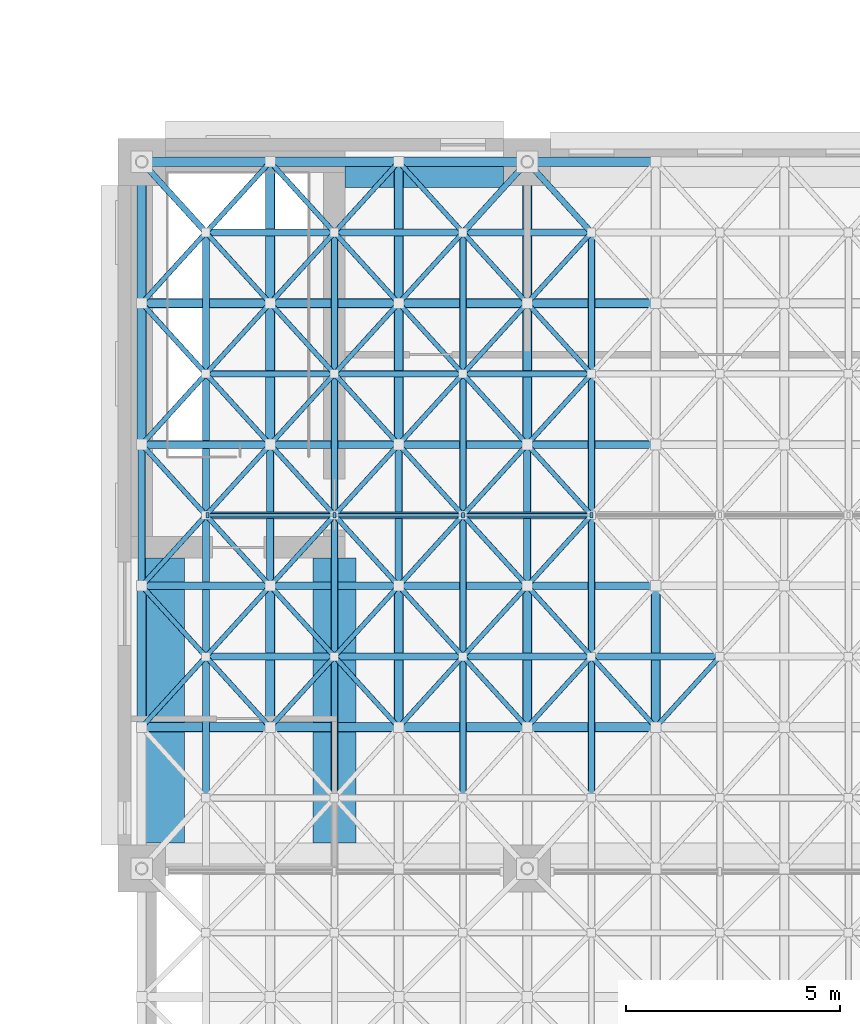
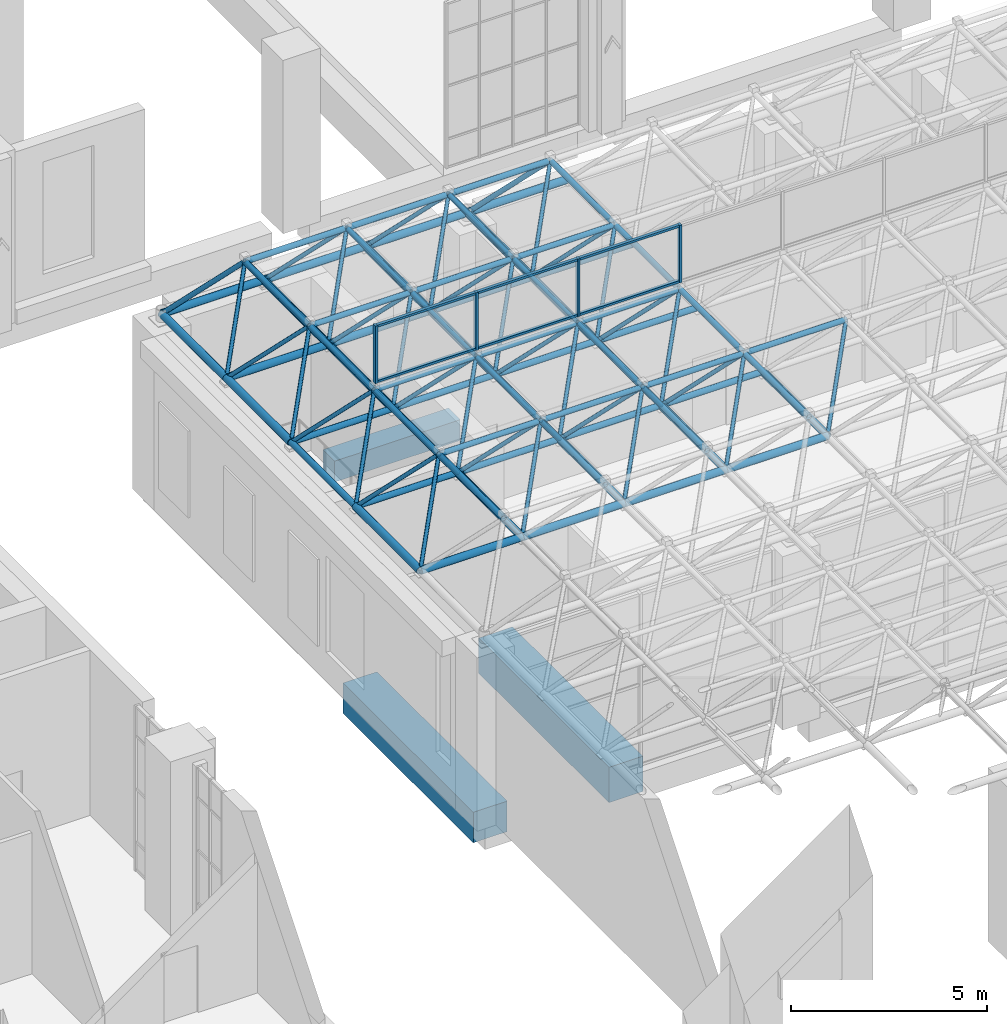
# One storey, part 7 of 53: 134 members, 3 beams, 1 element without a shape of its own.
"""IFC4 building model written with IfcOpenShell, lengths in metres."""

from ifc_helpers import new_model, si_unit, direction, frame, origin, origin_2d, place, context, subcontext, project, spatial, rectangle, hollow_circle, extrude, material, layer, layer_set, material_profile, profile_set, type_object, element, aggregate, save


model = new_model("IFC4")

# Units and contexts
model_context = context("Model", 3, precision=1e-05, world=origin(), true_north=direction((0.0, 1.0)))
body_context = subcontext(model_context, "Body", "Model", "MODEL_VIEW")
ifc_project = project(units=[si_unit("LENGTHUNIT", "METRE"), si_unit("AREAUNIT", "SQUARE_METRE"), si_unit("VOLUMEUNIT", "CUBIC_METRE"), si_unit("PLANEANGLEUNIT", "RADIAN"), si_unit("MASSUNIT", "GRAM", prefix="KILO")], contexts=[model_context])

# Site, building, storey
site_placement = place(None, origin())
site = spatial("IfcSite", under=ifc_project, at=site_placement, CompositionType="ELEMENT")
building_placement = place(site_placement, origin())
building = spatial("IfcBuilding", under=site, at=building_placement, Name="Aurelan Courthouse", CompositionType="ELEMENT")
storey_placement = place(building_placement, frame((0.0, 0.0, 12.0)))
storey = spatial("IfcBuildingStorey", under=building, at=storey_placement, Name="L02", CompositionType="ELEMENT", Elevation=12.0)

# Curtain wall, members
ifc_material_1 = material(Name="Bronze-finished aluminium and glass", Category="aluminium")
ifc_layer = layer(ifc_material_1, 0.10009765625)
ifc_layer_set = layer_set([ifc_layer], Name="Bronze-finished aluminium and glass")
curtain_wall_type = type_object("IfcCurtainWallType", Name="North light 24000 x 1800", PredefinedType="NOTDEFINED", material=ifc_layer_set)
curtain_wall_placement = place(storey_placement, origin())
curtain_wall = element("IfcCurtainWall", 1, at=curtain_wall_placement, inside=storey, type_object=curtain_wall_type, Name="Curtain wall CW-V1-L02-NL01", PredefinedType="NOTDEFINED")
ifc_material_2 = material(Name="Bronze-finished aluminium", Category="aluminium")
ifc_material_profile_1 = material_profile(ifc_material_2, rectangle(XDim=0.1201171875, YDim=0.070068359375, at=origin_2d()), Name="North light mullion 70 x 120")
ifc_profile_set_1 = profile_set([ifc_material_profile_1], Name="Bronze-finished aluminium")
member_type_1 = type_object("IfcMemberType", Name="North light mullion 70 x 120", PredefinedType="MULLION", material=ifc_profile_set_1)
member_1_placement = place(storey_placement, frame((37.534912109375, 20.25, 7.919921875), z_axis=(0.0, 0.0, 1.0), x_axis=(0.0, 1.0, 0.0)))
member_1 = element("IfcMember", 2, at=member_1_placement, type_object=member_type_1, Name="CW-V1-L02-NL01 mullion 1", PredefinedType="MULLION", context=body_context, shape_type="SweptSolid", body=[
    extrude(rectangle(XDim=0.1201171875, YDim=0.070068359375, at=origin_2d()), origin(), (0.0, 0.0, 1.0), 1.7998046875),
])
member_2_placement = place(storey_placement, frame((40.5, 20.25, 7.919921875), z_axis=(0.0, 0.0, 1.0), x_axis=(0.0, 1.0, 0.0)))
member_2 = element("IfcMember", 3, at=member_2_placement, type_object=member_type_1, Name="CW-V1-L02-NL01 mullion 2", PredefinedType="MULLION", context=body_context, shape_type="SweptSolid", body=[
    extrude(rectangle(XDim=0.1201171875, YDim=0.070068359375, at=origin_2d()), origin(), (0.0, 0.0, 1.0), 1.7998046875),
])
member_3_placement = place(storey_placement, frame((43.5, 20.25, 7.919921875), z_axis=(0.0, 0.0, 1.0), x_axis=(0.0, 1.0, 0.0)))
member_3 = element("IfcMember", 4, at=member_3_placement, type_object=member_type_1, Name="CW-V1-L02-NL01 mullion 3", PredefinedType="MULLION", context=body_context, shape_type="SweptSolid", body=[
    extrude(rectangle(XDim=0.1201171875, YDim=0.070068359375, at=origin_2d()), origin(), (0.0, 0.0, 1.0), 1.7998046875),
])
member_4_placement = place(storey_placement, frame((46.5, 20.25, 7.919921875), z_axis=(0.0, 0.0, 1.0), x_axis=(0.0, 1.0, 0.0)))
member_4 = element("IfcMember", 5, at=member_4_placement, type_object=member_type_1, Name="CW-V1-L02-NL01 mullion 4", PredefinedType="MULLION", context=body_context, shape_type="SweptSolid", body=[
    extrude(rectangle(XDim=0.1201171875, YDim=0.070068359375, at=origin_2d()), origin(), (0.0, 0.0, 1.0), 1.7998046875),
])
ifc_material_profile_2 = material_profile(ifc_material_2, rectangle(XDim=0.090087890625, YDim=0.070068359375, at=origin_2d()), Name="North light transom 70 x 90")
ifc_profile_set_2 = profile_set([ifc_material_profile_2], Name="Bronze-finished aluminium")
member_type_2 = type_object("IfcMemberType", Name="North light transom 70 x 90", PredefinedType="USERDEFINED", material=ifc_profile_set_2)
member_5_placement = place(storey_placement, frame((37.570068359375, 20.25, 7.954833984375), z_axis=(1.0, 0.0, 0.0), x_axis=(0.0, 1.0, 0.0)))
member_5 = element("IfcMember", 6, at=member_5_placement, type_object=member_type_2, Name="CW-V1-L02-NL01 transom 1.1", ObjectType="TRANSOM", PredefinedType="USERDEFINED", context=body_context, shape_type="SweptSolid", body=[
    extrude(rectangle(XDim=0.090087890625, YDim=0.070068359375, at=origin_2d()), origin(), (0.0, 0.0, 1.0), 2.89501953125),
])
member_6_placement = place(storey_placement, frame((37.570068359375, 20.25, 9.684814453125), z_axis=(1.0, 0.0, 0.0), x_axis=(0.0, 1.0, 0.0)))
member_6 = element("IfcMember", 7, at=member_6_placement, type_object=member_type_2, Name="CW-V1-L02-NL01 transom 1.2", ObjectType="TRANSOM", PredefinedType="USERDEFINED", context=body_context, shape_type="SweptSolid", body=[
    extrude(rectangle(XDim=0.090087890625, YDim=0.070068359375, at=origin_2d()), origin(), (0.0, 0.0, 1.0), 2.89501953125),
])
member_7_placement = place(storey_placement, frame((40.534912109375, 20.25, 7.954833984375), z_axis=(1.0, 0.0, 0.0), x_axis=(0.0, 1.0, 0.0)))
member_7 = element("IfcMember", 8, at=member_7_placement, type_object=member_type_2, Name="CW-V1-L02-NL01 transom 2.1", ObjectType="TRANSOM", PredefinedType="USERDEFINED", context=body_context, shape_type="SweptSolid", body=[
    extrude(rectangle(XDim=0.090087890625, YDim=0.070068359375, at=origin_2d()), origin(), (0.0, 0.0, 1.0), 2.93017578125),
])
member_8_placement = place(storey_placement, frame((40.534912109375, 20.25, 9.684814453125), z_axis=(1.0, 0.0, 0.0), x_axis=(0.0, 1.0, 0.0)))
member_8 = element("IfcMember", 9, at=member_8_placement, type_object=member_type_2, Name="CW-V1-L02-NL01 transom 2.2", ObjectType="TRANSOM", PredefinedType="USERDEFINED", context=body_context, shape_type="SweptSolid", body=[
    extrude(rectangle(XDim=0.090087890625, YDim=0.070068359375, at=origin_2d()), origin(), (0.0, 0.0, 1.0), 2.93017578125),
])
member_9_placement = place(storey_placement, frame((43.534912109375, 20.25, 7.954833984375), z_axis=(1.0, 0.0, 0.0), x_axis=(0.0, 1.0, 0.0)))
member_9 = element("IfcMember", 10, at=member_9_placement, type_object=member_type_2, Name="CW-V1-L02-NL01 transom 3.1", ObjectType="TRANSOM", PredefinedType="USERDEFINED", context=body_context, shape_type="SweptSolid", body=[
    extrude(rectangle(XDim=0.090087890625, YDim=0.070068359375, at=origin_2d()), origin(), (0.0, 0.0, 1.0), 2.93017578125),
])
member_10_placement = place(storey_placement, frame((43.534912109375, 20.25, 9.684814453125), z_axis=(1.0, 0.0, 0.0), x_axis=(0.0, 1.0, 0.0)))
member_10 = element("IfcMember", 11, at=member_10_placement, type_object=member_type_2, Name="CW-V1-L02-NL01 transom 3.2", ObjectType="TRANSOM", PredefinedType="USERDEFINED", context=body_context, shape_type="SweptSolid", body=[
    extrude(rectangle(XDim=0.090087890625, YDim=0.070068359375, at=origin_2d()), origin(), (0.0, 0.0, 1.0), 2.93017578125),
])
aggregate(curtain_wall, [member_1, member_2, member_3, member_4, member_5, member_6, member_7, member_8, member_9, member_10])

# Beams
ifc_material_3 = material(Name="Concrete C50", Category="concrete")
ifc_material_profile_3 = material_profile(ifc_material_3, rectangle(XDim=1.0, YDim=0.949951171875, at=origin_2d()), Name="RC 1000 x 950")
ifc_profile_set_3 = profile_set([ifc_material_profile_3], Name="Concrete C50")
beam_type_1 = type_object("IfcBeamType", Name="PT girder 1000 x 950", PredefinedType="BEAM", material=ifc_profile_set_3)
beam_1_placement = place(storey_placement, frame((36.5, 12.60009765625, -0.77490234375), z_axis=(0.0, 1.0, 0.0), x_axis=(-1.0, 0.0, 0.0)))
element("IfcBeam", 12, at=beam_1_placement, inside=storey, type_object=beam_type_1, Name="Girder GB-5BC-E", PredefinedType="BEAM", context=body_context, shape_type="SweptSolid", body=[
    extrude(rectangle(XDim=1.0, YDim=0.949951171875, at=origin_2d()), origin(), (0.0, 0.0, 1.0), 6.64990234375),
])
ifc_material_profile_4 = material_profile(ifc_material_3, rectangle(XDim=0.60009765625, YDim=0.64990234375, at=origin_2d()), Name="RC 600 x 650")
ifc_profile_set_4 = profile_set([ifc_material_profile_4], Name="Concrete C50")
beam_type_2 = type_object("IfcBeamType", Name="RC spandrel beam 600 x 650", PredefinedType="SPANDREL", material=ifc_profile_set_4)
beam_2_placement = place(storey_placement, frame((40.75, 28.199951171875, -0.625), z_axis=(1.0, 0.0, 0.0), x_axis=(0.0, 1.0, 0.0)))
element("IfcBeam", 13, at=beam_2_placement, inside=storey, type_object=beam_type_2, Name="Spandrel beam SB-C-5-6", PredefinedType="SPANDREL", context=body_context, shape_type="SweptSolid", body=[
    extrude(rectangle(XDim=0.60009765625, YDim=0.64990234375, at=origin_2d()), origin(), (0.0, 0.0, 1.0), 3.699951171875),
])
ifc_material_4 = material(Name="Concrete C40", Category="concrete")
ifc_material_profile_5 = material_profile(ifc_material_4, rectangle(XDim=1.0, YDim=1.10009765625, at=origin_2d()), Name="RC 1000 x 1100")
ifc_profile_set_5 = profile_set([ifc_material_profile_5], Name="Concrete C40")
beam_type_3 = type_object("IfcBeamType", Name="RC trimmer beam 1000 x 1100", PredefinedType="JOIST", material=ifc_profile_set_5)
beam_3_placement = place(storey_placement, frame((40.5, 12.60009765625, -0.85009765625), z_axis=(0.0, 1.0, 0.0), x_axis=(-1.0, 0.0, 0.0)))
element("IfcBeam", 14, at=beam_3_placement, inside=storey, type_object=beam_type_3, Name="Trimmer beam TB-L02-001", PredefinedType="JOIST", context=body_context, shape_type="SweptSolid", body=[
    extrude(rectangle(XDim=1.0, YDim=1.10009765625, at=origin_2d()), origin(), (0.0, 0.0, 1.0), 6.64990234375),
])

# Members
ifc_material_5 = material(Name="Steel S355", Category="steel")
ifc_material_profile_6 = material_profile(ifc_material_5, hollow_circle(Radius=0.07958984375, WallThickness=0.006103515625, at=origin_2d()), Name="CHS 159 x 6")
ifc_profile_set_6 = profile_set([ifc_material_profile_6], Name="Steel S355")
member_type_3 = type_object("IfcMemberType", Name="Space frame chord CHS 159 x 6", PredefinedType="CHORD", material=ifc_profile_set_6)
for number, where, z_axis, x_axis, name in (
    (15, (37.5, 16.949951171875, 7.699951171875), (1.0, 0.0, 0.0), (0.0, 1.0, 0.0), "Space frame top chord SF-T2"),
    (16, (40.5, 16.949951171875, 7.699951171875), (1.0, 0.0, 0.0), (0.0, 1.0, 0.0), "Space frame top chord SF-T2"),
    (17, (43.5, 16.949951171875, 7.699951171875), (1.0, 0.0, 0.0), (0.0, 1.0, 0.0), "Space frame top chord SF-T2"),
    (18, (46.5, 16.949951171875, 7.699951171875), (1.0, 0.0, 0.0), (0.0, 1.0, 0.0), "Space frame top chord SF-T2"),
    (19, (37.5, 20.25, 7.699951171875), (1.0, 0.0, 0.0), (0.0, 1.0, 0.0), "Space frame top chord SF-T2"),
    (20, (40.5, 20.25, 7.699951171875), (1.0, 0.0, 0.0), (0.0, 1.0, 0.0), "Space frame top chord SF-T2"),
    (21, (43.5, 20.25, 7.699951171875), (1.0, 0.0, 0.0), (0.0, 1.0, 0.0), "Space frame top chord SF-T2"),
    (22, (37.5, 23.550048828125, 7.699951171875), (1.0, 0.0, 0.0), (0.0, 1.0, 0.0), "Space frame top chord SF-T2"),
    (23, (40.5, 23.550048828125, 7.699951171875), (1.0, 0.0, 0.0), (0.0, 1.0, 0.0), "Space frame top chord SF-T2"),
    (24, (43.5, 23.550048828125, 7.699951171875), (1.0, 0.0, 0.0), (0.0, 1.0, 0.0), "Space frame top chord SF-T2"),
):
    element("IfcMember", number, at=place(storey_placement, frame(where, z_axis=z_axis, x_axis=x_axis)), inside=storey, type_object=member_type_3, Name=name, PredefinedType="CHORD", context=body_context, shape_type="SweptSolid", body=[
        extrude(hollow_circle(Radius=0.07958984375, WallThickness=0.006103515625, at=origin_2d()), origin(), (0.0, 0.0, 1.0), 3.0),
    ])
for number, where, z_axis, x_axis, name in (
    (25, (40.5, 13.64990234375, 7.699951171875), (0.0, 1.0, 0.0), (-1.0, 0.0, 0.0), "Space frame top chord SF-T2"),
    (26, (40.5, 16.949951171875, 7.699951171875), (0.0, 1.0, 0.0), (-1.0, 0.0, 0.0), "Space frame top chord SF-T2"),
    (27, (40.5, 20.25, 7.699951171875), (0.0, 1.0, 0.0), (-1.0, 0.0, 0.0), "Space frame top chord SF-T2"),
    (28, (40.5, 23.550048828125, 7.699951171875), (0.0, 1.0, 0.0), (-1.0, 0.0, 0.0), "Space frame top chord SF-T2"),
    (29, (43.5, 13.64990234375, 7.699951171875), (0.0, 1.0, 0.0), (-1.0, 0.0, 0.0), "Space frame top chord SF-T2"),
    (30, (43.5, 16.949951171875, 7.699951171875), (0.0, 1.0, 0.0), (-1.0, 0.0, 0.0), "Space frame top chord SF-T2"),
    (31, (43.5, 20.25, 7.699951171875), (0.0, 1.0, 0.0), (-1.0, 0.0, 0.0), "Space frame top chord SF-T2"),
    (32, (43.5, 23.550048828125, 7.699951171875), (0.0, 1.0, 0.0), (-1.0, 0.0, 0.0), "Space frame top chord SF-T2"),
    (33, (46.5, 13.64990234375, 7.699951171875), (0.0, 1.0, 0.0), (-1.0, 0.0, 0.0), "Space frame top chord SF-T2"),
    (34, (46.5, 16.949951171875, 7.699951171875), (0.0, 1.0, 0.0), (-1.0, 0.0, 0.0), "Space frame top chord SF-T2"),
    (35, (46.5, 20.25, 7.699951171875), (0.0, 1.0, 0.0), (-1.0, 0.0, 0.0), "Space frame top chord SF-T2"),
    (36, (46.5, 23.550048828125, 7.699951171875), (0.0, 1.0, 0.0), (-1.0, 0.0, 0.0), "Space frame top chord SF-T2"),
):
    element("IfcMember", number, at=place(storey_placement, frame(where, z_axis=z_axis, x_axis=x_axis)), inside=storey, type_object=member_type_3, Name=name, PredefinedType="CHORD", context=body_context, shape_type="SweptSolid", body=[
        extrude(hollow_circle(Radius=0.07958984375, WallThickness=0.006103515625, at=origin_2d()), origin(), (0.0, 0.0, 1.0), 3.300048828125),
    ])
ifc_material_profile_7 = material_profile(ifc_material_5, hollow_circle(Radius=0.084228515625, WallThickness=0.008056640625, at=origin_2d()), Name="CHS 168.3 x 8")
ifc_profile_set_7 = profile_set([ifc_material_profile_7], Name="Steel S355")
member_type_4 = type_object("IfcMemberType", Name="Space frame chord CHS 168.3 x 8", PredefinedType="CHORD", material=ifc_profile_set_7)
for number, where, z_axis, x_axis, name in (
    (37, (37.5, 26.85009765625, 7.699951171875), (1.0, 0.0, 0.0), (0.0, 1.0, 0.0), "Space frame top chord SF-T3"),
    (38, (40.5, 26.85009765625, 7.699951171875), (1.0, 0.0, 0.0), (0.0, 1.0, 0.0), "Space frame top chord SF-T3"),
    (39, (43.5, 26.85009765625, 7.699951171875), (1.0, 0.0, 0.0), (0.0, 1.0, 0.0), "Space frame top chord SF-T3"),
):
    element("IfcMember", number, at=place(storey_placement, frame(where, z_axis=z_axis, x_axis=x_axis)), inside=storey, type_object=member_type_4, Name=name, PredefinedType="CHORD", context=body_context, shape_type="SweptSolid", body=[
        extrude(hollow_circle(Radius=0.084228515625, WallThickness=0.008056640625, at=origin_2d()), origin(), (0.0, 0.0, 1.0), 3.0),
    ])
for number, where, z_axis, x_axis, name in (
    (40, (37.5, 13.64990234375, 7.699951171875), (0.0, 1.0, 0.0), (-1.0, 0.0, 0.0), "Space frame top chord SF-T3"),
    (41, (37.5, 16.949951171875, 7.699951171875), (0.0, 1.0, 0.0), (-1.0, 0.0, 0.0), "Space frame top chord SF-T3"),
    (42, (37.5, 20.25, 7.699951171875), (0.0, 1.0, 0.0), (-1.0, 0.0, 0.0), "Space frame top chord SF-T3"),
    (43, (37.5, 23.550048828125, 7.699951171875), (0.0, 1.0, 0.0), (-1.0, 0.0, 0.0), "Space frame top chord SF-T3"),
):
    element("IfcMember", number, at=place(storey_placement, frame(where, z_axis=z_axis, x_axis=x_axis)), inside=storey, type_object=member_type_4, Name=name, PredefinedType="CHORD", context=body_context, shape_type="SweptSolid", body=[
        extrude(hollow_circle(Radius=0.084228515625, WallThickness=0.008056640625, at=origin_2d()), origin(), (0.0, 0.0, 1.0), 3.300048828125),
    ])
ifc_material_profile_8 = material_profile(ifc_material_5, hollow_circle(Radius=0.0888671875, WallThickness=0.00634765625, at=origin_2d()), Name="CHS 177.8 x 6.3")
ifc_profile_set_8 = profile_set([ifc_material_profile_8], Name="Steel S355")
member_type_5 = type_object("IfcMemberType", Name="Space frame chord CHS 177.8 x 6.3", PredefinedType="CHORD", material=ifc_profile_set_8)
for number, where, z_axis, x_axis, name in (
    (44, (36.0, 18.60009765625, 5.60009765625), (1.0, 0.0, 0.0), (0.0, 1.0, 0.0), "Space frame bottom chord SF-B2"),
    (45, (39.0, 18.60009765625, 5.60009765625), (1.0, 0.0, 0.0), (0.0, 1.0, 0.0), "Space frame bottom chord SF-B2"),
    (46, (42.0, 18.60009765625, 5.60009765625), (1.0, 0.0, 0.0), (0.0, 1.0, 0.0), "Space frame bottom chord SF-B2"),
    (47, (45.0, 18.60009765625, 5.60009765625), (1.0, 0.0, 0.0), (0.0, 1.0, 0.0), "Space frame bottom chord SF-B2"),
    (48, (36.0, 21.89990234375, 5.60009765625), (1.0, 0.0, 0.0), (0.0, 1.0, 0.0), "Space frame bottom chord SF-B2"),
    (49, (39.0, 21.89990234375, 5.60009765625), (1.0, 0.0, 0.0), (0.0, 1.0, 0.0), "Space frame bottom chord SF-B2"),
    (50, (42.0, 21.89990234375, 5.60009765625), (1.0, 0.0, 0.0), (0.0, 1.0, 0.0), "Space frame bottom chord SF-B2"),
    (51, (45.0, 21.89990234375, 5.60009765625), (1.0, 0.0, 0.0), (0.0, 1.0, 0.0), "Space frame bottom chord SF-B2"),
):
    element("IfcMember", number, at=place(storey_placement, frame(where, z_axis=z_axis, x_axis=x_axis)), inside=storey, type_object=member_type_5, Name=name, PredefinedType="CHORD", context=body_context, shape_type="SweptSolid", body=[
        extrude(hollow_circle(Radius=0.0888671875, WallThickness=0.00634765625, at=origin_2d()), origin(), (0.0, 0.0, 1.0), 3.0),
    ])
for number, where, z_axis, x_axis, name in (
    (52, (36.0, 18.60009765625, 5.60009765625), (0.0, 1.0, 0.0), (-1.0, 0.0, 0.0), "Space frame bottom chord SF-B2"),
    (53, (39.0, 18.60009765625, 5.60009765625), (0.0, 1.0, 0.0), (-1.0, 0.0, 0.0), "Space frame bottom chord SF-B2"),
    (54, (42.0, 18.60009765625, 5.60009765625), (0.0, 1.0, 0.0), (-1.0, 0.0, 0.0), "Space frame bottom chord SF-B2"),
    (55, (45.0, 18.60009765625, 5.60009765625), (0.0, 1.0, 0.0), (-1.0, 0.0, 0.0), "Space frame bottom chord SF-B2"),
):
    element("IfcMember", number, at=place(storey_placement, frame(where, z_axis=z_axis, x_axis=x_axis)), inside=storey, type_object=member_type_5, Name=name, PredefinedType="CHORD", context=body_context, shape_type="SweptSolid", body=[
        extrude(hollow_circle(Radius=0.0888671875, WallThickness=0.00634765625, at=origin_2d()), origin(), (0.0, 0.0, 1.0), 3.2998046875),
    ])
ifc_material_profile_9 = material_profile(ifc_material_5, hollow_circle(Radius=0.109619140625, WallThickness=0.010009765625, at=origin_2d()), Name="CHS 219.1 x 10")
ifc_profile_set_9 = profile_set([ifc_material_profile_9], Name="Steel S355")
member_type_6 = type_object("IfcMemberType", Name="Space frame chord CHS 219.1 x 10", PredefinedType="CHORD", material=ifc_profile_set_9)
for number, where, z_axis, x_axis, name in (
    (56, (36.0, 15.300048828125, 5.60009765625), (1.0, 0.0, 0.0), (0.0, 1.0, 0.0), "Space frame bottom chord SF-B1"),
    (57, (39.0, 15.300048828125, 5.60009765625), (1.0, 0.0, 0.0), (0.0, 1.0, 0.0), "Space frame bottom chord SF-B1"),
    (58, (42.0, 15.300048828125, 5.60009765625), (1.0, 0.0, 0.0), (0.0, 1.0, 0.0), "Space frame bottom chord SF-B1"),
    (59, (45.0, 15.300048828125, 5.60009765625), (1.0, 0.0, 0.0), (0.0, 1.0, 0.0), "Space frame bottom chord SF-B1"),
    (60, (36.0, 25.199951171875, 5.60009765625), (1.0, 0.0, 0.0), (0.0, 1.0, 0.0), "Space frame bottom chord SF-B1"),
    (61, (39.0, 25.199951171875, 5.60009765625), (1.0, 0.0, 0.0), (0.0, 1.0, 0.0), "Space frame bottom chord SF-B1"),
    (62, (42.0, 25.199951171875, 5.60009765625), (1.0, 0.0, 0.0), (0.0, 1.0, 0.0), "Space frame bottom chord SF-B1"),
    (63, (45.0, 25.199951171875, 5.60009765625), (1.0, 0.0, 0.0), (0.0, 1.0, 0.0), "Space frame bottom chord SF-B1"),
    (64, (36.0, 28.5, 5.60009765625), (1.0, 0.0, 0.0), (0.0, 1.0, 0.0), "Space frame bottom chord SF-B1"),
    (65, (39.0, 28.5, 5.60009765625), (1.0, 0.0, 0.0), (0.0, 1.0, 0.0), "Space frame bottom chord SF-B1"),
    (66, (42.0, 28.5, 5.60009765625), (1.0, 0.0, 0.0), (0.0, 1.0, 0.0), "Space frame bottom chord SF-B1"),
    (67, (45.0, 28.5, 5.60009765625), (1.0, 0.0, 0.0), (0.0, 1.0, 0.0), "Space frame bottom chord SF-B1"),
):
    element("IfcMember", number, at=place(storey_placement, frame(where, z_axis=z_axis, x_axis=x_axis)), inside=storey, type_object=member_type_6, Name=name, PredefinedType="CHORD", context=body_context, shape_type="SweptSolid", body=[
        extrude(hollow_circle(Radius=0.109619140625, WallThickness=0.010009765625, at=origin_2d()), origin(), (0.0, 0.0, 1.0), 3.0),
    ])
for number, where, z_axis, x_axis, name in (
    (68, (36.0, 15.300048828125, 5.60009765625), (0.0, 1.0, 0.0), (-1.0, 0.0, 0.0), "Space frame bottom chord SF-B1"),
    (69, (36.0, 21.89990234375, 5.60009765625), (0.0, 1.0, 0.0), (-1.0, 0.0, 0.0), "Space frame bottom chord SF-B1"),
    (70, (36.0, 25.199951171875, 5.60009765625), (0.0, 1.0, 0.0), (-1.0, 0.0, 0.0), "Space frame bottom chord SF-B1"),
    (71, (39.0, 15.300048828125, 5.60009765625), (0.0, 1.0, 0.0), (-1.0, 0.0, 0.0), "Space frame bottom chord SF-B1"),
    (72, (39.0, 21.89990234375, 5.60009765625), (0.0, 1.0, 0.0), (-1.0, 0.0, 0.0), "Space frame bottom chord SF-B1"),
    (73, (39.0, 25.199951171875, 5.60009765625), (0.0, 1.0, 0.0), (-1.0, 0.0, 0.0), "Space frame bottom chord SF-B1"),
    (74, (42.0, 15.300048828125, 5.60009765625), (0.0, 1.0, 0.0), (-1.0, 0.0, 0.0), "Space frame bottom chord SF-B1"),
    (75, (42.0, 21.89990234375, 5.60009765625), (0.0, 1.0, 0.0), (-1.0, 0.0, 0.0), "Space frame bottom chord SF-B1"),
    (76, (42.0, 25.199951171875, 5.60009765625), (0.0, 1.0, 0.0), (-1.0, 0.0, 0.0), "Space frame bottom chord SF-B1"),
    (77, (45.0, 15.300048828125, 5.60009765625), (0.0, 1.0, 0.0), (-1.0, 0.0, 0.0), "Space frame bottom chord SF-B1"),
    (78, (45.0, 21.89990234375, 5.60009765625), (0.0, 1.0, 0.0), (-1.0, 0.0, 0.0), "Space frame bottom chord SF-B1"),
    (79, (45.0, 25.199951171875, 5.60009765625), (0.0, 1.0, 0.0), (-1.0, 0.0, 0.0), "Space frame bottom chord SF-B1"),
    (80, (48.0, 15.300048828125, 5.60009765625), (0.0, 1.0, 0.0), (-1.0, 0.0, 0.0), "Space frame bottom chord SF-B1"),
):
    element("IfcMember", number, at=place(storey_placement, frame(where, z_axis=z_axis, x_axis=x_axis)), inside=storey, type_object=member_type_6, Name=name, PredefinedType="CHORD", context=body_context, shape_type="SweptSolid", body=[
        extrude(hollow_circle(Radius=0.109619140625, WallThickness=0.010009765625, at=origin_2d()), origin(), (0.0, 0.0, 1.0), 3.300048828125),
    ])
ifc_material_profile_10 = material_profile(ifc_material_5, hollow_circle(Radius=0.05712890625, WallThickness=0.00390625, at=origin_2d()), Name="CHS 114.3 x 4")
ifc_profile_set_10 = profile_set([ifc_material_profile_10], Name="Steel S355")
member_type_7 = type_object("IfcMemberType", Name="Space frame diagonal CHS 114.3 x 4", PredefinedType="BRACE", material=ifc_profile_set_10)
for number, where, z_axis, x_axis, name in (
    (81, (37.5, 16.949951171875, 7.699951171875), (-0.489726573432, -0.538667347535, -0.685569377944), (0.739920256233, -0.672694592231, 0.0), "Space frame diagonal SF-D2"),
    (82, (37.5, 16.949951171875, 7.699951171875), (-0.489705546256, 0.538723923689, -0.685539941951), (-0.739969795529, -0.672640098199, 0.0), "Space frame diagonal SF-D2"),
    (83, (37.5, 16.949951171875, 7.699951171875), (0.489726573432, -0.538667347535, -0.685569377944), (0.739920256233, 0.672694592231, 0.0), "Space frame diagonal SF-D2"),
    (84, (37.5, 16.949951171875, 7.699951171875), (0.489705546256, 0.538723923689, -0.685539941951), (-0.739969795529, 0.672640098199, 0.0), "Space frame diagonal SF-D2"),
    (85, (37.5, 20.25, 7.699951171875), (-0.489726573432, -0.538667347535, -0.685569377944), (0.739920256233, -0.672694592231, 0.0), "Space frame diagonal SF-D2"),
    (86, (37.5, 20.25, 7.699951171875), (-0.489726573432, 0.538667347535, -0.685569377944), (-0.739920256233, -0.672694592231, 0.0), "Space frame diagonal SF-D2"),
    (87, (37.5, 20.25, 7.699951171875), (0.489726573432, -0.538667347535, -0.685569377944), (0.739920256233, 0.672694592231, 0.0), "Space frame diagonal SF-D2"),
    (88, (37.5, 20.25, 7.699951171875), (0.489726573432, 0.538667347535, -0.685569377944), (-0.739920256233, 0.672694592231, 0.0), "Space frame diagonal SF-D2"),
    (89, (37.5, 23.550048828125, 7.699951171875), (-0.489705546256, -0.538723923689, -0.685539941951), (0.739969795529, -0.672640098199, 0.0), "Space frame diagonal SF-D2"),
    (90, (37.5, 23.550048828125, 7.699951171875), (-0.489726573432, 0.538667347535, -0.685569377944), (-0.739920256233, -0.672694592231, 0.0), "Space frame diagonal SF-D2"),
    (91, (37.5, 23.550048828125, 7.699951171875), (0.489705546256, -0.538723923689, -0.685539941951), (0.739969795529, 0.672640098199, 0.0), "Space frame diagonal SF-D2"),
    (92, (37.5, 23.550048828125, 7.699951171875), (0.489726573432, 0.538667347535, -0.685569377944), (-0.739920256233, 0.672694592231, 0.0), "Space frame diagonal SF-D2"),
    (93, (37.5, 26.85009765625, 7.699951171875), (-0.489705546256, -0.538723923689, -0.685539941951), (0.739969795529, -0.672640098199, 0.0), "Space frame diagonal SF-D2"),
    (94, (37.5, 26.85009765625, 7.699951171875), (0.489705546256, -0.538723923689, -0.685539941951), (0.739969795529, 0.672640098199, 0.0), "Space frame diagonal SF-D2"),
    (95, (37.5, 26.85009765625, 7.699951171875), (0.489726573432, 0.538667347535, -0.685569377944), (-0.739920256233, 0.672694592231, 0.0), "Space frame diagonal SF-D2"),
    (96, (40.5, 16.949951171875, 7.699951171875), (-0.489726573432, -0.538667347535, -0.685569377944), (0.739920256233, -0.672694592231, 0.0), "Space frame diagonal SF-D2"),
    (97, (40.5, 16.949951171875, 7.699951171875), (-0.489705546256, 0.538723923689, -0.685539941951), (-0.739969795529, -0.672640098199, 0.0), "Space frame diagonal SF-D2"),
    (98, (40.5, 16.949951171875, 7.699951171875), (0.489726573432, -0.538667347535, -0.685569377944), (0.739920256233, 0.672694592231, 0.0), "Space frame diagonal SF-D2"),
    (99, (40.5, 16.949951171875, 7.699951171875), (0.489705546256, 0.538723923689, -0.685539941951), (-0.739969795529, 0.672640098199, 0.0), "Space frame diagonal SF-D2"),
    (100, (40.5, 20.25, 7.699951171875), (-0.489726573432, -0.538667347535, -0.685569377944), (0.739920256233, -0.672694592231, 0.0), "Space frame diagonal SF-D2"),
    (101, (40.5, 20.25, 7.699951171875), (-0.489726573432, 0.538667347535, -0.685569377944), (-0.739920256233, -0.672694592231, 0.0), "Space frame diagonal SF-D2"),
    (102, (40.5, 20.25, 7.699951171875), (0.489726573432, -0.538667347535, -0.685569377944), (0.739920256233, 0.672694592231, 0.0), "Space frame diagonal SF-D2"),
    (103, (40.5, 20.25, 7.699951171875), (0.489726573432, 0.538667347535, -0.685569377944), (-0.739920256233, 0.672694592231, 0.0), "Space frame diagonal SF-D2"),
    (104, (40.5, 23.550048828125, 7.699951171875), (-0.489705546256, -0.538723923689, -0.685539941951), (0.739969795529, -0.672640098199, 0.0), "Space frame diagonal SF-D2"),
    (105, (40.5, 23.550048828125, 7.699951171875), (-0.489726573432, 0.538667347535, -0.685569377944), (-0.739920256233, -0.672694592231, 0.0), "Space frame diagonal SF-D2"),
    (106, (40.5, 23.550048828125, 7.699951171875), (0.489705546256, -0.538723923689, -0.685539941951), (0.739969795529, 0.672640098199, 0.0), "Space frame diagonal SF-D2"),
    (107, (40.5, 23.550048828125, 7.699951171875), (0.489726573432, 0.538667347535, -0.685569377944), (-0.739920256233, 0.672694592231, 0.0), "Space frame diagonal SF-D2"),
    (108, (40.5, 26.85009765625, 7.699951171875), (-0.489705546256, -0.538723923689, -0.685539941951), (0.739969795529, -0.672640098199, 0.0), "Space frame diagonal SF-D2"),
    (109, (40.5, 26.85009765625, 7.699951171875), (-0.489726573432, 0.538667347535, -0.685569377944), (-0.739920256233, -0.672694592231, 0.0), "Space frame diagonal SF-D2"),
    (110, (40.5, 26.85009765625, 7.699951171875), (0.489705546256, -0.538723923689, -0.685539941951), (0.739969795529, 0.672640098199, 0.0), "Space frame diagonal SF-D2"),
    (111, (40.5, 26.85009765625, 7.699951171875), (0.489726573432, 0.538667347535, -0.685569377944), (-0.739920256233, 0.672694592231, 0.0), "Space frame diagonal SF-D2"),
    (112, (43.5, 16.949951171875, 7.699951171875), (-0.489726573432, -0.538667347535, -0.685569377944), (0.739920256233, -0.672694592231, 0.0), "Space frame diagonal SF-D2"),
    (113, (43.5, 16.949951171875, 7.699951171875), (-0.489705546256, 0.538723923689, -0.685539941951), (-0.739969795529, -0.672640098199, 0.0), "Space frame diagonal SF-D2"),
    (114, (43.5, 16.949951171875, 7.699951171875), (0.489726573432, -0.538667347535, -0.685569377944), (0.739920256233, 0.672694592231, 0.0), "Space frame diagonal SF-D2"),
    (115, (43.5, 16.949951171875, 7.699951171875), (0.489705546256, 0.538723923689, -0.685539941951), (-0.739969795529, 0.672640098199, 0.0), "Space frame diagonal SF-D2"),
    (116, (43.5, 20.25, 7.699951171875), (-0.489726573432, -0.538667347535, -0.685569377944), (0.739920256233, -0.672694592231, 0.0), "Space frame diagonal SF-D2"),
    (117, (43.5, 20.25, 7.699951171875), (-0.489726573432, 0.538667347535, -0.685569377944), (-0.739920256233, -0.672694592231, 0.0), "Space frame diagonal SF-D2"),
    (118, (43.5, 20.25, 7.699951171875), (0.489726573432, -0.538667347535, -0.685569377944), (0.739920256233, 0.672694592231, 0.0), "Space frame diagonal SF-D2"),
    (119, (43.5, 20.25, 7.699951171875), (0.489726573432, 0.538667347535, -0.685569377944), (-0.739920256233, 0.672694592231, 0.0), "Space frame diagonal SF-D2"),
    (120, (43.5, 23.550048828125, 7.699951171875), (-0.489705546256, -0.538723923689, -0.685539941951), (0.739969795529, -0.672640098199, 0.0), "Space frame diagonal SF-D2"),
    (121, (43.5, 23.550048828125, 7.699951171875), (-0.489726573432, 0.538667347535, -0.685569377944), (-0.739920256233, -0.672694592231, 0.0), "Space frame diagonal SF-D2"),
    (122, (43.5, 23.550048828125, 7.699951171875), (0.489705546256, -0.538723923689, -0.685539941951), (0.739969795529, 0.672640098199, 0.0), "Space frame diagonal SF-D2"),
    (123, (43.5, 23.550048828125, 7.699951171875), (0.489726573432, 0.538667347535, -0.685569377944), (-0.739920256233, 0.672694592231, 0.0), "Space frame diagonal SF-D2"),
    (124, (43.5, 26.85009765625, 7.699951171875), (-0.489705546256, -0.538723923689, -0.685539941951), (0.739969795529, -0.672640098199, 0.0), "Space frame diagonal SF-D2"),
    (125, (43.5, 26.85009765625, 7.699951171875), (-0.489726573432, 0.538667347535, -0.685569377944), (-0.739920256233, -0.672694592231, 0.0), "Space frame diagonal SF-D2"),
    (126, (43.5, 26.85009765625, 7.699951171875), (0.489705546256, -0.538723923689, -0.685539941951), (0.739969795529, 0.672640098199, 0.0), "Space frame diagonal SF-D2"),
    (127, (46.5, 16.949951171875, 7.699951171875), (-0.489726573432, -0.538667347535, -0.685569377944), (0.739920256233, -0.672694592231, 0.0), "Space frame diagonal SF-D2"),
    (128, (46.5, 16.949951171875, 7.699951171875), (-0.489705546256, 0.538723923689, -0.685539941951), (-0.739969795529, -0.672640098199, 0.0), "Space frame diagonal SF-D2"),
    (129, (46.5, 16.949951171875, 7.699951171875), (0.489726573432, -0.538667347535, -0.685569377944), (0.739920256233, 0.672694592231, 0.0), "Space frame diagonal SF-D2"),
    (130, (46.5, 20.25, 7.699951171875), (-0.489726573432, -0.538667347535, -0.685569377944), (0.739920256233, -0.672694592231, 0.0), "Space frame diagonal SF-D2"),
    (131, (46.5, 20.25, 7.699951171875), (-0.489726573432, 0.538667347535, -0.685569377944), (-0.739920256233, -0.672694592231, 0.0), "Space frame diagonal SF-D2"),
    (132, (46.5, 23.550048828125, 7.699951171875), (-0.489705546256, -0.538723923689, -0.685539941951), (0.739969795529, -0.672640098199, 0.0), "Space frame diagonal SF-D2"),
    (133, (46.5, 23.550048828125, 7.699951171875), (-0.489726573432, 0.538667347535, -0.685569377944), (-0.739920256233, -0.672694592231, 0.0), "Space frame diagonal SF-D2"),
    (134, (46.5, 26.85009765625, 7.699951171875), (-0.489705546256, -0.538723923689, -0.685539941951), (0.739969795529, -0.672640098199, 0.0), "Space frame diagonal SF-D2"),
    (135, (49.5, 16.949951171875, 7.699951171875), (-0.489726573432, -0.538667347535, -0.685569377944), (0.739920256233, -0.672694592231, 0.0), "Space frame diagonal SF-D2"),
):
    element("IfcMember", number, at=place(storey_placement, frame(where, z_axis=z_axis, x_axis=x_axis)), inside=storey, type_object=member_type_7, Name=name, PredefinedType="BRACE", context=body_context, shape_type="SweptSolid", body=[
        extrude(hollow_circle(Radius=0.05712890625, WallThickness=0.00390625, at=origin_2d()), origin(), (0.0, 0.0, 1.0), 3.06298828125),
    ])
ifc_material_profile_11 = material_profile(ifc_material_5, hollow_circle(Radius=0.06982421875, WallThickness=0.00634765625, at=origin_2d()), Name="CHS 139.7 x 6.3")
ifc_profile_set_11 = profile_set([ifc_material_profile_11], Name="Steel S355")
member_type_8 = type_object("IfcMemberType", Name="Space frame diagonal CHS 139.7 x 6.3", PredefinedType="BRACE", material=ifc_profile_set_11)
for number, where, z_axis, x_axis, name in (
    (136, (37.5, 26.85009765625, 7.699951171875), (-0.489726573432, 0.538667347535, -0.685569377944), (-0.739920256233, -0.672694592231, 0.0), "Space frame diagonal SF-D1"),
    (137, (43.5, 26.85009765625, 7.699951171875), (0.489726573432, 0.538667347535, -0.685569377944), (-0.739920256233, 0.672694592231, 0.0), "Space frame diagonal SF-D1"),
    (138, (46.5, 26.85009765625, 7.699951171875), (-0.489726573432, 0.538667347535, -0.685569377944), (-0.739920256233, -0.672694592231, 0.0), "Space frame diagonal SF-D1"),
):
    element("IfcMember", number, at=place(storey_placement, frame(where, z_axis=z_axis, x_axis=x_axis)), inside=storey, type_object=member_type_8, Name=name, PredefinedType="BRACE", context=body_context, shape_type="SweptSolid", body=[
        extrude(hollow_circle(Radius=0.06982421875, WallThickness=0.00634765625, at=origin_2d()), origin(), (0.0, 0.0, 1.0), 3.06298828125),
    ])

save(model, "model.ifc")
